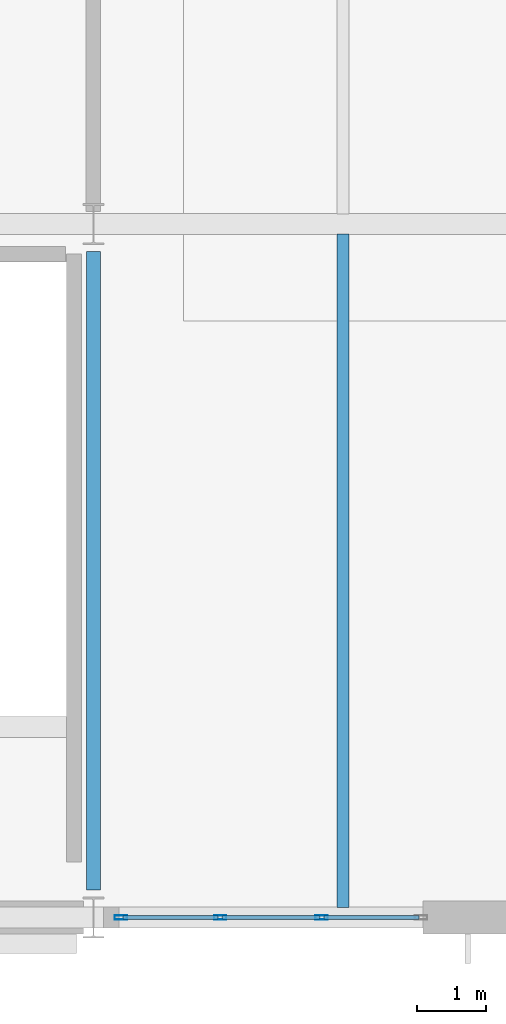
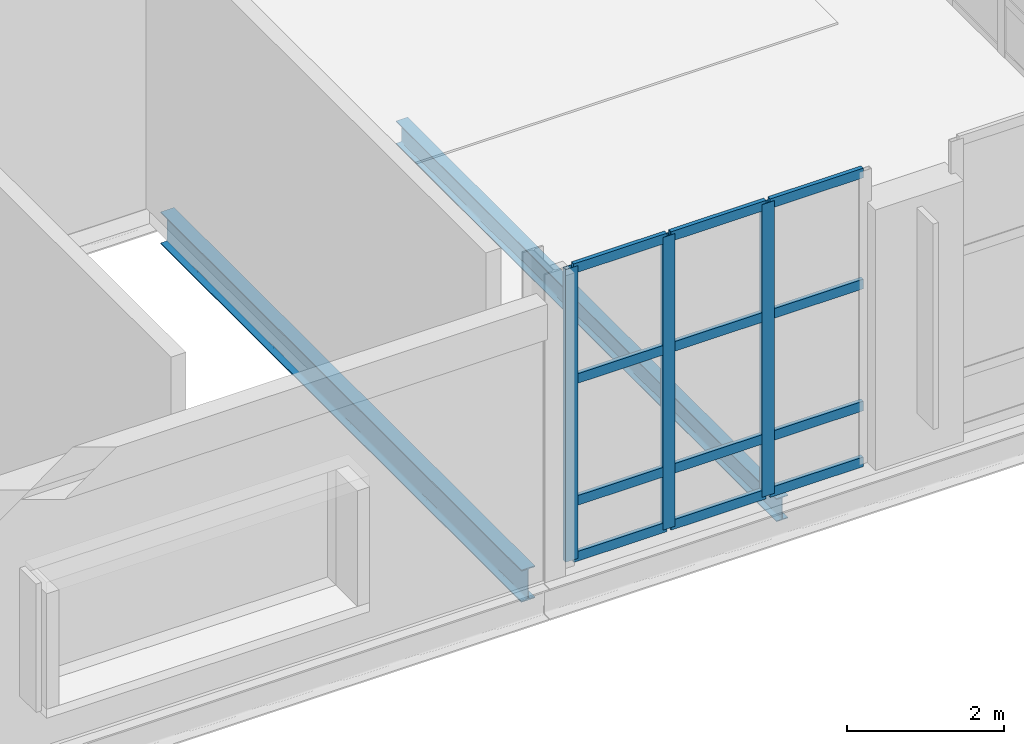
# One storey, part 16 of 92: 15 members, 2 beams, 1 element without a shape of its own.
"""IFC4 building model written with IfcOpenShell, lengths in metres."""

from ifc_helpers import new_model, si_unit, direction, frame, origin, origin_2d, place, context, subcontext, project, spatial, hollow_rectangle, i_section, extrude, material, layer, layer_set, material_profile, profile_set, type_object, element, aggregate, save


model = new_model("IFC4")

# Units and contexts
model_context = context("Model", 3, precision=1e-05, world=origin(), true_north=direction((0.0, 1.0)))
body_context = subcontext(model_context, "Body", "Model", "MODEL_VIEW")
ifc_project = project(units=[si_unit("LENGTHUNIT", "METRE"), si_unit("AREAUNIT", "SQUARE_METRE"), si_unit("VOLUMEUNIT", "CUBIC_METRE"), si_unit("PLANEANGLEUNIT", "RADIAN"), si_unit("MASSUNIT", "GRAM", prefix="KILO")], contexts=[model_context])

# Site, building, storey
site_placement = place(None, origin())
site = spatial("IfcSite", under=ifc_project, at=site_placement, CompositionType="ELEMENT")
building_placement = place(site_placement, origin())
building = spatial("IfcBuilding", under=site, at=building_placement, Name="Tasgan Crest Museum", CompositionType="ELEMENT")
storey_placement = place(building_placement, frame((0.0, 0.0, 4.800048828125)))
storey = spatial("IfcBuildingStorey", under=building, at=storey_placement, Name="L01", CompositionType="ELEMENT", Elevation=4.800048828125)

# Beams
ifc_material_1 = material(Name="Steel S355J2", Category="steel")
ifc_material_profile_1 = material_profile(ifc_material_1, i_section(OverallWidth=0.199951171875, OverallDepth=0.5, WebThickness=0.01025390625, FlangeThickness=0.01611328125, FilletRadius=0.02099609375, at=origin_2d()), Name="IPE 500")
ifc_profile_set_1 = profile_set([ifc_material_profile_1], Name="Steel S355J2")
beam_type_1 = type_object("IfcBeamType", Name="BM-G-IPE500", PredefinedType="BEAM", material=ifc_profile_set_1)
beam_1_placement = place(storey_placement, frame((43.199951171875, 0.39501953125, -0.489990234375), z_axis=(0.0, 1.0, 0.0), x_axis=(-1.0, 0.0, 0.0)))
element("IfcBeam", 1, at=beam_1_placement, inside=storey, type_object=beam_type_1, Name="Beam L01 5 0.0-10.0", PredefinedType="BEAM", context=body_context, shape_type="SweptSolid", body=[
    extrude(i_section(OverallWidth=0.199951171875, OverallDepth=0.5, WebThickness=0.01025390625, FlangeThickness=0.01611328125, FilletRadius=0.02099609375, at=origin_2d()), origin(), (0.0, 0.0, 1.0), 9.2099609375),
])
ifc_material_2 = material(Name="Steel S355J2", Category="steel")
ifc_material_profile_2 = material_profile(ifc_material_2, i_section(OverallWidth=0.169921875, OverallDepth=0.360107421875, WebThickness=0.008056640625, FlangeThickness=0.0126953125, FilletRadius=0.01806640625, at=origin_2d()), Name="IPE 360")
ifc_profile_set_2 = profile_set([ifc_material_profile_2], Name="Steel S355J2")
beam_type_2 = type_object("IfcBeamType", Name="BM-J-IPE360", PredefinedType="JOIST", material=ifc_profile_set_2)
beam_2_placement = place(storey_placement, frame((46.800048828125, 0.14501953125, -0.420166015625), z_axis=(0.0, 1.0, 0.0), x_axis=(-1.0, 0.0, 0.0)))
element("IfcBeam", 2, at=beam_2_placement, inside=storey, type_object=beam_type_2, Name="Secondary joist L01 X=46.8 Y=0.0-10.0", PredefinedType="JOIST", context=body_context, shape_type="SweptSolid", body=[
    extrude(i_section(OverallWidth=0.169921875, OverallDepth=0.360107421875, WebThickness=0.008056640625, FlangeThickness=0.0126953125, FilletRadius=0.01806640625, at=origin_2d()), origin(), (0.0, 0.0, 1.0), 9.7099609375),
])

# Curtain wall, members
ifc_material_3 = material(Name="Triple-Glazed Aluminium Curtain Wall", Category="aluminium")
ifc_layer = layer(ifc_material_3, 0.179931640625, Name="CW-PORCH-X")
ifc_layer_set = layer_set([ifc_layer], Name="Triple-Glazed Aluminium Curtain Wall")
curtain_wall_type = type_object("IfcCurtainWallType", Name="CW-PORCH-X", PredefinedType="NOTDEFINED", material=ifc_layer_set)
curtain_wall_placement = place(storey_placement, origin())
curtain_wall = element("IfcCurtainWall", 3, at=curtain_wall_placement, inside=storey, type_object=curtain_wall_type, Name="Curtain wall L01 017", PredefinedType="NOTDEFINED")
ifc_material_4 = material(Name="Anodised Aluminium", Category="aluminium")
ifc_material_profile_3 = material_profile(ifc_material_4, hollow_rectangle(XDim=0.06494140625, YDim=0.179931640625, WallThickness=0.0048828125, at=origin_2d()), Name="ALU MULLION 180x65x5")
ifc_profile_set_3 = profile_set([ifc_material_profile_3], Name="Anodised Aluminium")
member_type_1 = type_object("IfcMemberType", Name="CW-MULLION-180", PredefinedType="MULLION", material=ifc_profile_set_3)
member_1_placement = place(storey_placement, frame((43.594970703125, 0.0, 0.0), z_axis=(0.0, 0.0, 1.0), x_axis=(0.0, 1.0, 0.0)))
member_1 = element("IfcMember", 4, at=member_1_placement, type_object=member_type_1, Name="CW01 mullion 1", PredefinedType="MULLION", context=body_context, shape_type="SweptSolid", body=[
    extrude(hollow_rectangle(XDim=0.06494140625, YDim=0.179931640625, WallThickness=0.0048828125, at=origin_2d()), origin(), (0.0, 0.0, 1.0), 4.56005859375),
])
member_2_placement = place(storey_placement, frame((45.0283203125, 0.0, 0.0), z_axis=(0.0, 0.0, 1.0), x_axis=(0.0, 1.0, 0.0)))
member_2 = element("IfcMember", 5, at=member_2_placement, type_object=member_type_1, Name="CW01 mullion 2", PredefinedType="MULLION", context=body_context, shape_type="SweptSolid", body=[
    extrude(hollow_rectangle(XDim=0.06494140625, YDim=0.179931640625, WallThickness=0.0048828125, at=origin_2d()), origin(), (0.0, 0.0, 1.0), 4.56005859375),
])
member_3_placement = place(storey_placement, frame((46.49169921875, 0.0, 0.0), z_axis=(0.0, 0.0, 1.0), x_axis=(0.0, 1.0, 0.0)))
member_3 = element("IfcMember", 6, at=member_3_placement, type_object=member_type_1, Name="CW01 mullion 3", PredefinedType="MULLION", context=body_context, shape_type="SweptSolid", body=[
    extrude(hollow_rectangle(XDim=0.06494140625, YDim=0.179931640625, WallThickness=0.0048828125, at=origin_2d()), origin(), (0.0, 0.0, 1.0), 4.56005859375),
])
ifc_material_5 = material(Name="Anodised Aluminium", Category="aluminium")
ifc_material_profile_4 = material_profile(ifc_material_5, hollow_rectangle(XDim=0.06005859375, YDim=0.14990234375, WallThickness=0.0048828125, at=origin_2d()), Name="ALU TRANSOM 150x60x5")
ifc_profile_set_4 = profile_set([ifc_material_profile_4], Name="Anodised Aluminium")
member_type_2 = type_object("IfcMemberType", Name="CW-TRANSOM-150", PredefinedType="USERDEFINED", material=ifc_profile_set_4)
member_4_placement = place(storey_placement, frame((43.625, 0.0, 0.030029296875), z_axis=(1.0, 0.0, 0.0), x_axis=(0.0, 1.0, 0.0)))
member_4 = element("IfcMember", 7, at=member_4_placement, type_object=member_type_2, Name="CW01 transom 1.1", ObjectType="TRANSOM", PredefinedType="USERDEFINED", context=body_context, shape_type="SweptSolid", body=[
    extrude(hollow_rectangle(XDim=0.06005859375, YDim=0.14990234375, WallThickness=0.0048828125, at=origin_2d()), origin(), (0.0, 0.0, 1.0), 1.373291015625),
])
member_5_placement = place(storey_placement, frame((43.625, 0.0, 0.89990234375), z_axis=(1.0, 0.0, 0.0), x_axis=(0.0, 1.0, 0.0)))
member_5 = element("IfcMember", 8, at=member_5_placement, type_object=member_type_2, Name="CW01 transom 1.2", ObjectType="TRANSOM", PredefinedType="USERDEFINED", context=body_context, shape_type="SweptSolid", body=[
    extrude(hollow_rectangle(XDim=0.06005859375, YDim=0.14990234375, WallThickness=0.0048828125, at=origin_2d()), origin(), (0.0, 0.0, 1.0), 1.373291015625),
])
member_6_placement = place(storey_placement, frame((43.625, 0.0, 2.800048828125), z_axis=(1.0, 0.0, 0.0), x_axis=(0.0, 1.0, 0.0)))
member_6 = element("IfcMember", 9, at=member_6_placement, type_object=member_type_2, Name="CW01 transom 1.3", ObjectType="TRANSOM", PredefinedType="USERDEFINED", context=body_context, shape_type="SweptSolid", body=[
    extrude(hollow_rectangle(XDim=0.06005859375, YDim=0.14990234375, WallThickness=0.0048828125, at=origin_2d()), origin(), (0.0, 0.0, 1.0), 1.373291015625),
])
member_7_placement = place(storey_placement, frame((43.625, 0.0, 4.530029296875), z_axis=(1.0, 0.0, 0.0), x_axis=(0.0, 1.0, 0.0)))
member_7 = element("IfcMember", 10, at=member_7_placement, type_object=member_type_2, Name="CW01 transom 1.4", ObjectType="TRANSOM", PredefinedType="USERDEFINED", context=body_context, shape_type="SweptSolid", body=[
    extrude(hollow_rectangle(XDim=0.06005859375, YDim=0.14990234375, WallThickness=0.0048828125, at=origin_2d()), origin(), (0.0, 0.0, 1.0), 1.373291015625),
])
member_8_placement = place(storey_placement, frame((45.058349609375, 0.0, 0.030029296875), z_axis=(1.0, 0.0, 0.0), x_axis=(0.0, 1.0, 0.0)))
member_8 = element("IfcMember", 11, at=member_8_placement, type_object=member_type_2, Name="CW01 transom 2.1", ObjectType="TRANSOM", PredefinedType="USERDEFINED", context=body_context, shape_type="SweptSolid", body=[
    extrude(hollow_rectangle(XDim=0.06005859375, YDim=0.14990234375, WallThickness=0.0048828125, at=origin_2d()), origin(), (0.0, 0.0, 1.0), 1.4033203125),
])
member_9_placement = place(storey_placement, frame((45.058349609375, 0.0, 0.89990234375), z_axis=(1.0, 0.0, 0.0), x_axis=(0.0, 1.0, 0.0)))
member_9 = element("IfcMember", 12, at=member_9_placement, type_object=member_type_2, Name="CW01 transom 2.2", ObjectType="TRANSOM", PredefinedType="USERDEFINED", context=body_context, shape_type="SweptSolid", body=[
    extrude(hollow_rectangle(XDim=0.06005859375, YDim=0.14990234375, WallThickness=0.0048828125, at=origin_2d()), origin(), (0.0, 0.0, 1.0), 1.4033203125),
])
member_10_placement = place(storey_placement, frame((45.058349609375, 0.0, 2.800048828125), z_axis=(1.0, 0.0, 0.0), x_axis=(0.0, 1.0, 0.0)))
member_10 = element("IfcMember", 13, at=member_10_placement, type_object=member_type_2, Name="CW01 transom 2.3", ObjectType="TRANSOM", PredefinedType="USERDEFINED", context=body_context, shape_type="SweptSolid", body=[
    extrude(hollow_rectangle(XDim=0.06005859375, YDim=0.14990234375, WallThickness=0.0048828125, at=origin_2d()), origin(), (0.0, 0.0, 1.0), 1.4033203125),
])
member_11_placement = place(storey_placement, frame((45.058349609375, 0.0, 4.530029296875), z_axis=(1.0, 0.0, 0.0), x_axis=(0.0, 1.0, 0.0)))
member_11 = element("IfcMember", 14, at=member_11_placement, type_object=member_type_2, Name="CW01 transom 2.4", ObjectType="TRANSOM", PredefinedType="USERDEFINED", context=body_context, shape_type="SweptSolid", body=[
    extrude(hollow_rectangle(XDim=0.06005859375, YDim=0.14990234375, WallThickness=0.0048828125, at=origin_2d()), origin(), (0.0, 0.0, 1.0), 1.4033203125),
])
member_12_placement = place(storey_placement, frame((46.521728515625, 0.0, 0.030029296875), z_axis=(1.0, 0.0, 0.0), x_axis=(0.0, 1.0, 0.0)))
member_12 = element("IfcMember", 15, at=member_12_placement, type_object=member_type_2, Name="CW01 transom 3.1", ObjectType="TRANSOM", PredefinedType="USERDEFINED", context=body_context, shape_type="SweptSolid", body=[
    extrude(hollow_rectangle(XDim=0.06005859375, YDim=0.14990234375, WallThickness=0.0048828125, at=origin_2d()), origin(), (0.0, 0.0, 1.0), 1.373291015625),
])
member_13_placement = place(storey_placement, frame((46.521728515625, 0.0, 0.89990234375), z_axis=(1.0, 0.0, 0.0), x_axis=(0.0, 1.0, 0.0)))
member_13 = element("IfcMember", 16, at=member_13_placement, type_object=member_type_2, Name="CW01 transom 3.2", ObjectType="TRANSOM", PredefinedType="USERDEFINED", context=body_context, shape_type="SweptSolid", body=[
    extrude(hollow_rectangle(XDim=0.06005859375, YDim=0.14990234375, WallThickness=0.0048828125, at=origin_2d()), origin(), (0.0, 0.0, 1.0), 1.373291015625),
])
member_14_placement = place(storey_placement, frame((46.521728515625, 0.0, 2.800048828125), z_axis=(1.0, 0.0, 0.0), x_axis=(0.0, 1.0, 0.0)))
member_14 = element("IfcMember", 17, at=member_14_placement, type_object=member_type_2, Name="CW01 transom 3.3", ObjectType="TRANSOM", PredefinedType="USERDEFINED", context=body_context, shape_type="SweptSolid", body=[
    extrude(hollow_rectangle(XDim=0.06005859375, YDim=0.14990234375, WallThickness=0.0048828125, at=origin_2d()), origin(), (0.0, 0.0, 1.0), 1.373291015625),
])
member_15_placement = place(storey_placement, frame((46.521728515625, 0.0, 4.530029296875), z_axis=(1.0, 0.0, 0.0), x_axis=(0.0, 1.0, 0.0)))
member_15 = element("IfcMember", 18, at=member_15_placement, type_object=member_type_2, Name="CW01 transom 3.4", ObjectType="TRANSOM", PredefinedType="USERDEFINED", context=body_context, shape_type="SweptSolid", body=[
    extrude(hollow_rectangle(XDim=0.06005859375, YDim=0.14990234375, WallThickness=0.0048828125, at=origin_2d()), origin(), (0.0, 0.0, 1.0), 1.373291015625),
])
aggregate(curtain_wall, [member_1, member_2, member_3, member_4, member_5, member_6, member_7, member_8, member_9, member_10, member_11, member_12, member_13, member_14, member_15])

save(model, "model.ifc")
